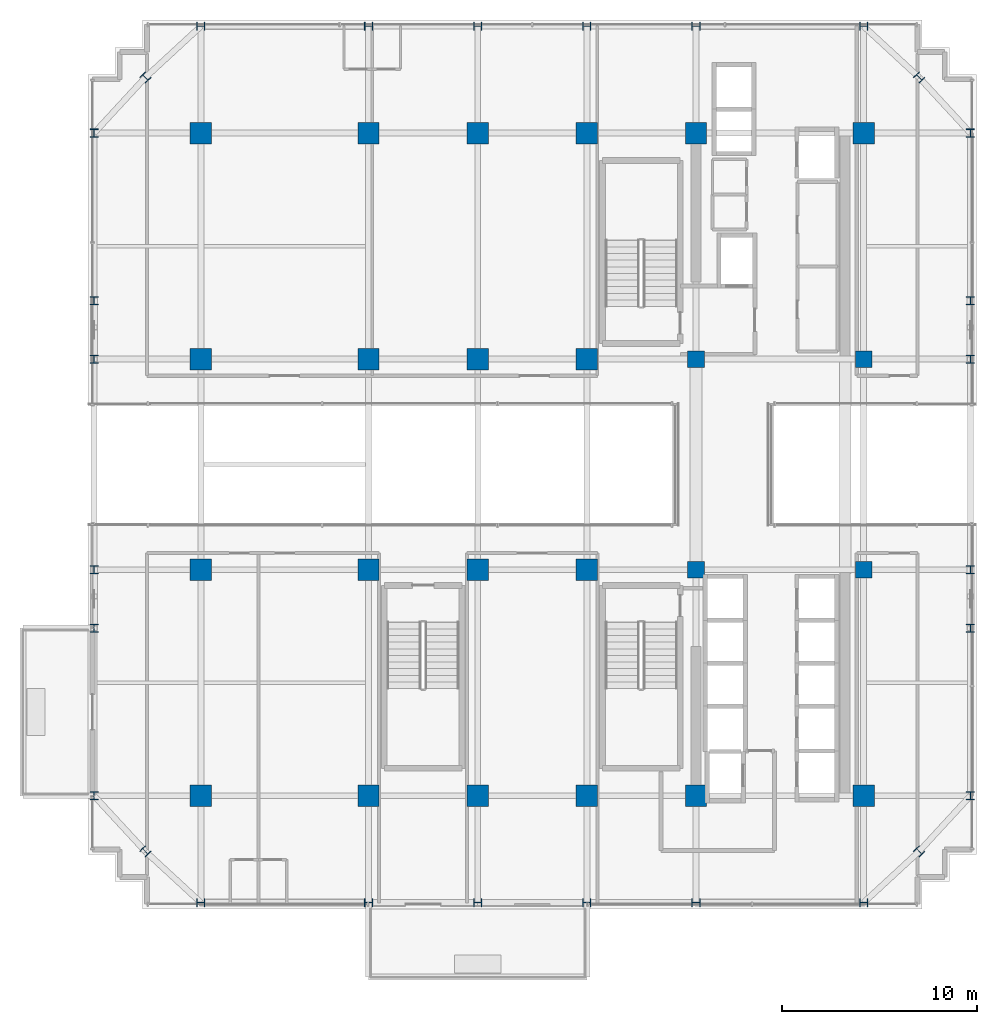
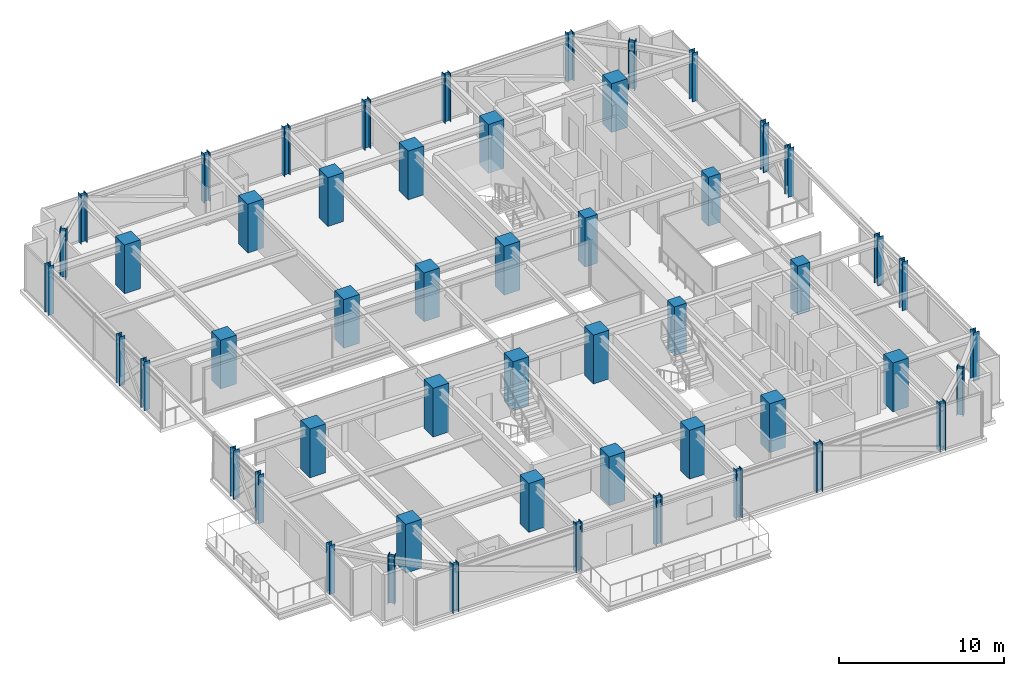
# One storey, part 1 of 35: 52 columns.
"""IFC4 building model written with IfcOpenShell, lengths in metres."""

from ifc_helpers import new_model, si_unit, direction, frame, origin, origin_2d, place, context, subcontext, project, spatial, rectangle, i_section, extrude, source, transform, mapped, material, material_profile, profile_set, type_object, element, save


model = new_model("IFC4")

# Units and contexts
model_context = context("Model", 3, precision=1e-05, world=origin(), true_north=direction((0.0, 1.0)))
body_context = subcontext(model_context, "Body", "Model", "MODEL_VIEW")
ifc_project = project(units=[si_unit("LENGTHUNIT", "METRE"), si_unit("AREAUNIT", "SQUARE_METRE"), si_unit("VOLUMEUNIT", "CUBIC_METRE"), si_unit("PLANEANGLEUNIT", "RADIAN"), si_unit("MASSUNIT", "GRAM", prefix="KILO")], contexts=[model_context])

# Site, building, storey
site_placement = place(None, origin())
site = spatial("IfcSite", under=ifc_project, at=site_placement, CompositionType="ELEMENT")
building_placement = place(site_placement, origin())
building = spatial("IfcBuilding", under=site, at=building_placement, Name="Nahalor Promenade Grand Hotel", CompositionType="ELEMENT")
storey_placement = place(building_placement, frame((0.0, 0.0, 185.5)))
storey = spatial("IfcBuildingStorey", under=building, at=storey_placement, Name="L47", CompositionType="ELEMENT", Elevation=185.5)

# Columns
ifc_material_1 = material(Name="Concrete B-70 (C60/75)", Category="concrete")
ifc_material_profile_1 = material_profile(ifc_material_1, rectangle(XDim=0.85, YDim=0.85, at=origin_2d()), Name="RC 850x850")
ifc_profile_set_1 = profile_set([ifc_material_profile_1], Name="Concrete B-70 (C60/75)")
column_type_1 = type_object("IfcColumnType", Name="Col-Pilaster-850", PredefinedType="PILASTER", material=ifc_profile_set_1)
shared_shape_1 = source(origin(), body_context, "Body", "SweptSolid", [
    extrude(rectangle(XDim=0.85, YDim=0.85, at=origin_2d()), origin(), (0.0, 0.0, 1.0), 3.60498046875),
])
for number, where, z_axis, x_axis, name in (
    (1, (8.39990234375, -5.39990234375, 0.0), (0.0, 0.0, 1.0), (1.0, 0.0, 0.0), "COL-L47-I41"),
    (2, (8.39990234375, 5.39990234375, 0.0), (0.0, 0.0, 1.0), (1.0, 0.0, 0.0), "COL-L47-I42"),
    (3, (17.0, -5.39990234375, 0.0), (0.0, 0.0, 1.0), (1.0, 0.0, 0.0), "COL-L47-I51"),
    (4, (17.0, 5.39990234375, 0.0), (0.0, 0.0, 1.0), (1.0, 0.0, 0.0), "COL-L47-I52"),
):
    element("IfcColumn", number, at=place(storey_placement, frame(where, z_axis=z_axis, x_axis=x_axis)), inside=storey, type_object=column_type_1, Name=name, PredefinedType="PILASTER", context=body_context, shape_type="MappedRepresentation", body=[
        mapped(shared_shape_1, transform((0.0, 0.0, 0.0), scale=1.0)),
    ])
ifc_material_2 = material(Name="Concrete B-60 (C50/60)", Category="concrete")
ifc_material_profile_2 = material_profile(ifc_material_2, rectangle(XDim=1.1, YDim=1.1, at=origin_2d()), Name="RC 1100x1100")
ifc_profile_set_2 = profile_set([ifc_material_profile_2], Name="Concrete B-60 (C50/60)")
column_type_2 = type_object("IfcColumnType", Name="Col-RC-1100", PredefinedType="COLUMN", material=ifc_profile_set_2)
shared_shape_2 = source(origin(), body_context, "Body", "SweptSolid", [
    extrude(rectangle(XDim=1.1, YDim=1.1, at=origin_2d()), origin(), (0.0, 0.0, 1.0), 3.60498046875),
])
for number, where, z_axis, x_axis, name in (
    (5, (-17.0, -17.0, 0.0), (0.0, 0.0, 1.0), (1.0, 0.0, 0.0), "COL-L47-I00"),
    (6, (-17.0, -5.39990234375, 0.0), (0.0, 0.0, 1.0), (1.0, 0.0, 0.0), "COL-L47-I01"),
    (7, (-17.0, 5.39990234375, 0.0), (0.0, 0.0, 1.0), (1.0, 0.0, 0.0), "COL-L47-I02"),
    (8, (-17.0, 17.0, 0.0), (0.0, 0.0, 1.0), (1.0, 0.0, 0.0), "COL-L47-I03"),
    (9, (-8.39990234375, -17.0, 0.0), (0.0, 0.0, 1.0), (1.0, 0.0, 0.0), "COL-L47-I10"),
    (10, (-8.39990234375, -5.39990234375, 0.0), (0.0, 0.0, 1.0), (1.0, 0.0, 0.0), "COL-L47-I11"),
    (11, (-8.39990234375, 5.39990234375, 0.0), (0.0, 0.0, 1.0), (1.0, 0.0, 0.0), "COL-L47-I12"),
    (12, (-8.39990234375, 17.0, 0.0), (0.0, 0.0, 1.0), (1.0, 0.0, 0.0), "COL-L47-I13"),
    (13, (-2.800048828125, -17.0, 0.0), (0.0, 0.0, 1.0), (1.0, 0.0, 0.0), "COL-L47-I20"),
    (14, (-2.800048828125, -5.39990234375, 0.0), (0.0, 0.0, 1.0), (1.0, 0.0, 0.0), "COL-L47-I21"),
    (15, (-2.800048828125, 5.39990234375, 0.0), (0.0, 0.0, 1.0), (1.0, 0.0, 0.0), "COL-L47-I22"),
    (16, (-2.800048828125, 17.0, 0.0), (0.0, 0.0, 1.0), (1.0, 0.0, 0.0), "COL-L47-I23"),
    (17, (2.800048828125, -17.0, 0.0), (0.0, 0.0, 1.0), (1.0, 0.0, 0.0), "COL-L47-I30"),
    (18, (2.800048828125, -5.39990234375, 0.0), (0.0, 0.0, 1.0), (1.0, 0.0, 0.0), "COL-L47-I31"),
    (19, (2.800048828125, 5.39990234375, 0.0), (0.0, 0.0, 1.0), (1.0, 0.0, 0.0), "COL-L47-I32"),
    (20, (2.800048828125, 17.0, 0.0), (0.0, 0.0, 1.0), (1.0, 0.0, 0.0), "COL-L47-I33"),
    (21, (8.39990234375, -17.0, 0.0), (0.0, 0.0, 1.0), (1.0, 0.0, 0.0), "COL-L47-I40"),
    (22, (8.39990234375, 17.0, 0.0), (0.0, 0.0, 1.0), (1.0, 0.0, 0.0), "COL-L47-I43"),
    (23, (17.0, -17.0, 0.0), (0.0, 0.0, 1.0), (1.0, 0.0, 0.0), "COL-L47-I50"),
    (24, (17.0, 17.0, 0.0), (0.0, 0.0, 1.0), (1.0, 0.0, 0.0), "COL-L47-I53"),
):
    element("IfcColumn", number, at=place(storey_placement, frame(where, z_axis=z_axis, x_axis=x_axis)), inside=storey, type_object=column_type_2, Name=name, PredefinedType="COLUMN", context=body_context, shape_type="MappedRepresentation", body=[
        mapped(shared_shape_2, transform((0.0, 0.0, 0.0), scale=1.0)),
    ])
ifc_material_3 = material(Name="Steel S355J2", Category="steel")
ifc_material_profile_3 = material_profile(ifc_material_3, i_section(OverallWidth=0.406, OverallDepth=0.422, WebThickness=0.019, FlangeThickness=0.0305, at=origin_2d()), Name="HD 400x382")
ifc_profile_set_3 = profile_set([ifc_material_profile_3], Name="Steel S355J2")
column_type_3 = type_object("IfcColumnType", Name="Col-Steel-HD382", PredefinedType="COLUMN", material=ifc_profile_set_3)
shared_shape_3 = source(origin(), body_context, "Body", "SweptSolid", [
    extrude(i_section(OverallWidth=0.406, OverallDepth=0.422, WebThickness=0.019, FlangeThickness=0.0305, at=origin_2d()), origin(), (0.0, 0.0, 1.0), 3.60498046875),
])
for number, where, z_axis, x_axis, name in (
    (25, (-22.47998046875, -17.0, 0.0), (0.0, 0.0, 1.0), (1.0, 0.0, 0.0), "COL-L47-PW-W0"),
    (26, (22.47998046875, -17.0, 0.0), (0.0, 0.0, 1.0), (1.0, 0.0, 0.0), "COL-L47-PW-E0"),
    (27, (-22.47998046875, -8.39990234375, 0.0), (0.0, 0.0, 1.0), (1.0, 0.0, 0.0), "COL-L47-PW-W1"),
    (28, (22.47998046875, -8.39990234375, 0.0), (0.0, 0.0, 1.0), (1.0, 0.0, 0.0), "COL-L47-PW-E1"),
    (29, (-22.47998046875, -5.39990234375, 0.0), (0.0, 0.0, 1.0), (1.0, 0.0, 0.0), "COL-L47-PW-W2"),
    (30, (22.47998046875, -5.39990234375, 0.0), (0.0, 0.0, 1.0), (1.0, 0.0, 0.0), "COL-L47-PW-E2"),
    (31, (-22.47998046875, 5.39990234375, 0.0), (0.0, 0.0, 1.0), (1.0, 0.0, 0.0), "COL-L47-PW-W3"),
    (32, (22.47998046875, 5.39990234375, 0.0), (0.0, 0.0, 1.0), (1.0, 0.0, 0.0), "COL-L47-PW-E3"),
    (33, (-22.47998046875, 8.39990234375, 0.0), (0.0, 0.0, 1.0), (1.0, 0.0, 0.0), "COL-L47-PW-W4"),
    (34, (22.47998046875, 8.39990234375, 0.0), (0.0, 0.0, 1.0), (1.0, 0.0, 0.0), "COL-L47-PW-E4"),
    (35, (-22.47998046875, 17.0, 0.0), (0.0, 0.0, 1.0), (1.0, 0.0, 0.0), "COL-L47-PW-W5"),
    (36, (22.47998046875, 17.0, 0.0), (0.0, 0.0, 1.0), (1.0, 0.0, 0.0), "COL-L47-PW-E5"),
    (37, (-17.0, -22.47998046875, 0.0), (0.0, 0.0, 1.0), (0.0, 1.0, 0.0), "COL-L47-PN-S0"),
    (38, (-17.0, 22.47998046875, 0.0), (0.0, 0.0, 1.0), (0.0, 1.0, 0.0), "COL-L47-PN-N0"),
    (39, (-8.39990234375, -22.47998046875, 0.0), (0.0, 0.0, 1.0), (0.0, 1.0, 0.0), "COL-L47-PN-S1"),
    (40, (-8.39990234375, 22.47998046875, 0.0), (0.0, 0.0, 1.0), (0.0, 1.0, 0.0), "COL-L47-PN-N1"),
    (41, (-2.800048828125, -22.47998046875, 0.0), (0.0, 0.0, 1.0), (0.0, 1.0, 0.0), "COL-L47-PN-S2"),
    (42, (-2.800048828125, 22.47998046875, 0.0), (0.0, 0.0, 1.0), (0.0, 1.0, 0.0), "COL-L47-PN-N2"),
    (43, (2.800048828125, -22.47998046875, 0.0), (0.0, 0.0, 1.0), (0.0, 1.0, 0.0), "COL-L47-PN-S3"),
    (44, (2.800048828125, 22.47998046875, 0.0), (0.0, 0.0, 1.0), (0.0, 1.0, 0.0), "COL-L47-PN-N3"),
    (45, (8.39990234375, -22.47998046875, 0.0), (0.0, 0.0, 1.0), (0.0, 1.0, 0.0), "COL-L47-PN-S4"),
    (46, (8.39990234375, 22.47998046875, 0.0), (0.0, 0.0, 1.0), (0.0, 1.0, 0.0), "COL-L47-PN-N4"),
    (47, (17.0, -22.47998046875, 0.0), (0.0, 0.0, 1.0), (0.0, 1.0, 0.0), "COL-L47-PN-S5"),
    (48, (17.0, 22.47998046875, 0.0), (0.0, 0.0, 1.0), (0.0, 1.0, 0.0), "COL-L47-PN-N5"),
    (49, (-19.85009765625, -19.85009765625, 0.0), (0.0, 0.0, 1.0), (0.707106781187, 0.707106781187, 0.0), "COL-L47-CRN-SW"),
    (50, (-19.85009765625, 19.85009765625, 0.0), (0.0, 0.0, 1.0), (0.707106781187, 0.707106781187, 0.0), "COL-L47-CRN-NW"),
    (51, (19.85009765625, -19.85009765625, 0.0), (0.0, 0.0, 1.0), (0.707106781187, 0.707106781187, 0.0), "COL-L47-CRN-SE"),
    (52, (19.85009765625, 19.85009765625, 0.0), (0.0, 0.0, 1.0), (0.707106781187, 0.707106781187, 0.0), "COL-L47-CRN-NE"),
):
    element("IfcColumn", number, at=place(storey_placement, frame(where, z_axis=z_axis, x_axis=x_axis)), inside=storey, type_object=column_type_3, Name=name, PredefinedType="COLUMN", context=body_context, shape_type="MappedRepresentation", body=[
        mapped(shared_shape_3, transform((0.0, 0.0, 0.0), scale=1.0)),
    ])

save(model, "model.ifc")
